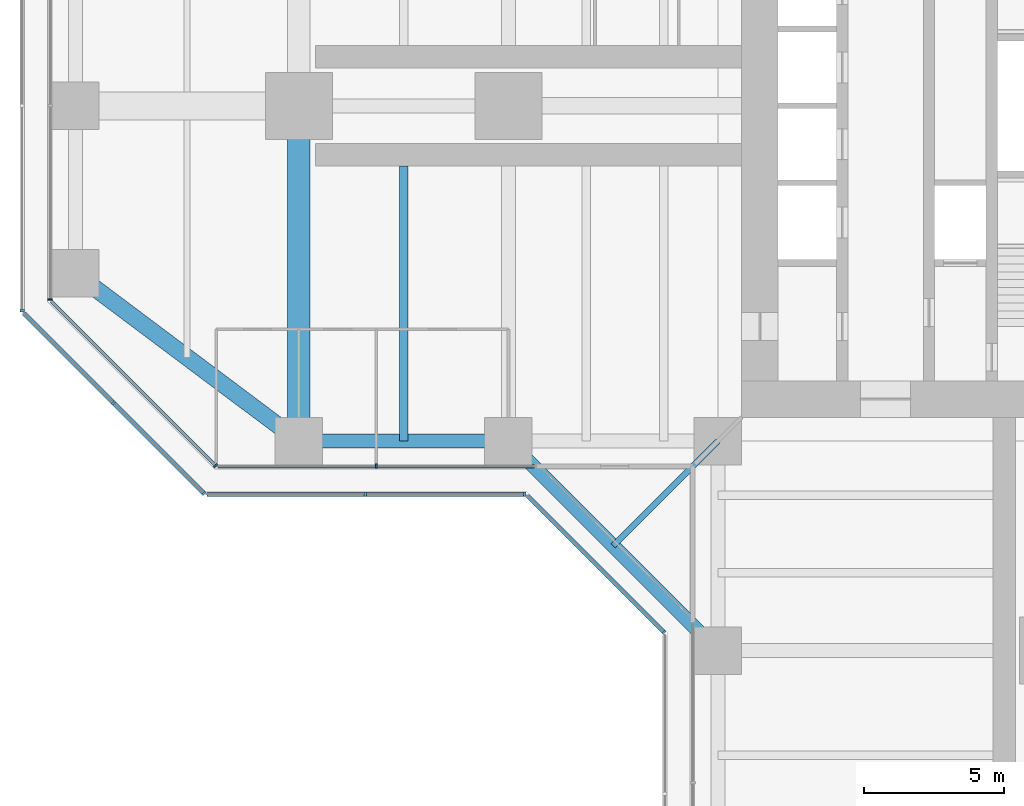
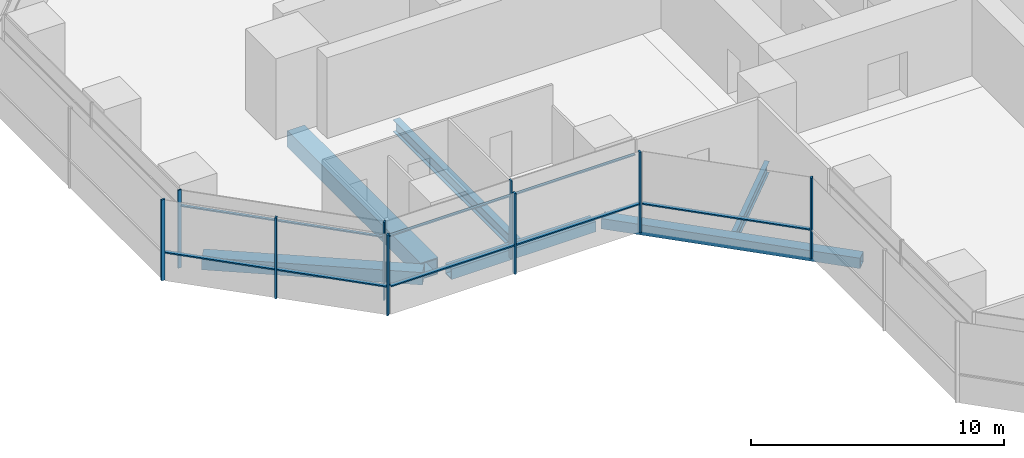
# One storey, part 3 of 22: 17 members, 6 beams, 7 elements without a shape of their own.
"""IFC4 building model written with IfcOpenShell, lengths in metres."""

from ifc_helpers import new_model, si_unit, direction, frame, origin, origin_2d, place, context, subcontext, project, spatial, rectangle, hollow_rectangle, i_section, extrude, material, material_profile, profile_set, type_object, element, aggregate, save


model = new_model("IFC4")

# Units and contexts
model_context = context("Model", 3, precision=1e-05, world=origin(), true_north=direction((0.0, 1.0)))
body_context = subcontext(model_context, "Body", "Model", "MODEL_VIEW")
ifc_project = project(units=[si_unit("LENGTHUNIT", "METRE"), si_unit("AREAUNIT", "SQUARE_METRE"), si_unit("VOLUMEUNIT", "CUBIC_METRE"), si_unit("PLANEANGLEUNIT", "RADIAN"), si_unit("MASSUNIT", "GRAM", prefix="KILO")], contexts=[model_context])

# Site, building, storey
site_placement = place(None, origin())
site = spatial("IfcSite", under=ifc_project, at=site_placement, CompositionType="ELEMENT")
building_placement = place(site_placement, origin())
building = spatial("IfcBuilding", under=site, at=building_placement, Name="Mizan Broadcast Tower", CompositionType="ELEMENT")
storey_placement = place(building_placement, frame((0.0, 0.0, 74.699951171875)))
storey = spatial("IfcBuildingStorey", under=building, at=storey_placement, Name="L15", CompositionType="ELEMENT", Elevation=74.699951171875)

# Beams
ifc_material_1 = material(Name="Steel S355", Category="steel")
ifc_material_profile_1 = material_profile(ifc_material_1, hollow_rectangle(XDim=0.5, YDim=0.5, WallThickness=0.030029296875, at=origin_2d()), Name="BOX 500x500x30")
ifc_profile_set_1 = profile_set([ifc_material_profile_1], Name="Steel S355")
beam_type_1 = type_object("IfcBeamType", Name="EDGE BEAM BOX 500x500x30", PredefinedType="SPANDREL", material=ifc_profile_set_1)
beam_1_placement = place(storey_placement, frame((-19.949951171875, -12.0, -0.3798828125), z_axis=(-1.0, 0.0, 0.0), x_axis=(0.0, -1.0, 0.0)))
element("IfcBeam", 1, at=beam_1_placement, inside=storey, type_object=beam_type_1, Name="Edge beam BOX 500x500x30 L15 west arm", PredefinedType="SPANDREL", context=body_context, shape_type="SweptSolid", body=[
    extrude(hollow_rectangle(XDim=0.5, YDim=0.5, WallThickness=0.030029296875, at=origin_2d()), origin(), (0.0, 0.0, 1.0), 6.60009765625),
])
beam_2_placement = place(storey_placement, frame((-19.5, -12.0, -0.3798828125), z_axis=(0.707106781187, -0.707106781187, 0.0), x_axis=(0.707106781187, 0.707106781187, 0.0)))
element("IfcBeam", 2, at=beam_2_placement, inside=storey, type_object=beam_type_1, Name="Winter garden edge beam L15 W", PredefinedType="SPANDREL", context=body_context, shape_type="SweptSolid", body=[
    extrude(hollow_rectangle(XDim=0.5, YDim=0.5, WallThickness=0.030029296875, at=origin_2d()), origin(), (0.0, 0.0, 1.0), 10.606689453125),
])
ifc_material_2 = material(Name="Steel S355", Category="steel")
ifc_material_profile_2 = material_profile(ifc_material_2, hollow_rectangle(XDim=0.60009765625, YDim=0.60009765625, WallThickness=0.030029296875, at=origin_2d()), Name="BOX 600x600x30")
ifc_profile_set_2 = profile_set([ifc_material_profile_2], Name="Steel S355")
beam_type_2 = type_object("IfcBeamType", Name="EDGE BEAM BOX 600x600x30", PredefinedType="SPANDREL", material=ifc_profile_set_2)
beam_3_placement = place(storey_placement, frame((-27.47998046875, -11.639892578125, -0.429931640625), z_axis=(-0.800013316712, 0.599982243973, 0.0), x_axis=(-0.599982243973, -0.800013316712, 0.0)))
element("IfcBeam", 3, at=beam_3_placement, inside=storey, type_object=beam_type_2, Name="Edge beam BOX 600x600x30 L15 west arm", PredefinedType="SPANDREL", context=body_context, shape_type="SweptSolid", body=[
    extrude(hollow_rectangle(XDim=0.60009765625, YDim=0.60009765625, WallThickness=0.030029296875, at=origin_2d()), origin(), (0.0, 0.0, 1.0), 8.7998046875),
])
ifc_material_3 = material(Name="Steel S460", Category="steel")
ifc_material_profile_3 = material_profile(ifc_material_3, hollow_rectangle(XDim=0.800048828125, YDim=0.800048828125, WallThickness=0.050048828125, at=origin_2d()), Name="BOX 800x800x50")
ifc_profile_set_3 = profile_set([ifc_material_profile_3], Name="Steel S460")
beam_type_3 = type_object("IfcBeamType", Name="GIRDER BOX 800x800x50", PredefinedType="BEAM", material=ifc_profile_set_3)
beam_4_placement = place(storey_placement, frame((-27.0, -11.280029296875, -0.530029296875), z_axis=(0.0, 1.0, 0.0), x_axis=(-1.0, 0.0, 0.0)))
element("IfcBeam", 4, at=beam_4_placement, inside=storey, type_object=beam_type_3, Name="Girder BOX 800x800x50 L15 west arm", PredefinedType="BEAM", context=body_context, shape_type="SweptSolid", body=[
    extrude(hollow_rectangle(XDim=0.800048828125, YDim=0.800048828125, WallThickness=0.050048828125, at=origin_2d()), origin(), (0.0, 0.0, 1.0), 10.56005859375),
])

# Curtain wall, member
ifc_material_4 = material(Name="Aluminium framed glazing", Category="aluminium")
curtain_wall_type_1 = type_object("IfcCurtainWallType", Name="INNER SKIN LOW ZONE", PredefinedType="USERDEFINED", material=ifc_material_4)
curtain_wall_1_placement = place(storey_placement, origin())
curtain_wall_1 = element("IfcCurtainWall", 5, at=curtain_wall_1_placement, inside=storey, type_object=curtain_wall_type_1, Name="Inner skin low zone L15 W end", ObjectType="INNER SKIN LOW ZONE", PredefinedType="USERDEFINED")
ifc_material_5 = material(Name="Aluminium, pale anodised", Category="aluminium")
ifc_material_profile_4 = material_profile(ifc_material_5, rectangle(XDim=0.159912109375, YDim=0.06005859375, at=origin_2d()), Name="MULLION 160x60")
ifc_profile_set_4 = profile_set([ifc_material_profile_4], Name="Aluminium, pale anodised")
member_type_1 = type_object("IfcMemberType", Name="INNER SKIN MULLION 60x160", PredefinedType="MULLION", material=ifc_profile_set_4)
member_1_placement = place(storey_placement, frame((-35.89990234375, -6.928466796875, 0.0), z_axis=(0.0, 0.0, 1.0), x_axis=(1.0, 0.0, 0.0)))
member_1 = element("IfcMember", 6, at=member_1_placement, type_object=member_type_1, Name="Inner skin low zone L15 W end mullion 3", PredefinedType="MULLION", context=body_context, shape_type="SweptSolid", body=[
    extrude(rectangle(XDim=0.159912109375, YDim=0.06005859375, at=origin_2d()), origin(), (0.0, 0.0, 1.0), 3.77001953125),
])
aggregate(curtain_wall_1, [member_1])

curtain_wall_2_placement = place(storey_placement, origin())
curtain_wall_2 = element("IfcCurtainWall", 7, at=curtain_wall_2_placement, inside=storey, type_object=curtain_wall_type_1, Name="Inner skin low zone L15 W chamfer", ObjectType="INNER SKIN LOW ZONE", PredefinedType="USERDEFINED")
member_2_placement = place(storey_placement, frame((-29.979736328125, -12.87890625, 0.0), z_axis=(0.0, 0.0, 1.0), x_axis=(0.707106781187, 0.707106781187, 0.0)))
member_2 = element("IfcMember", 8, at=member_2_placement, type_object=member_type_1, Name="Inner skin low zone L15 W chamfer mullion 2", PredefinedType="MULLION", context=body_context, shape_type="SweptSolid", body=[
    extrude(rectangle(XDim=0.159912109375, YDim=0.06005859375, at=origin_2d()), origin(), (0.0, 0.0, 1.0), 3.77001953125),
])

curtain_wall_3_placement = place(storey_placement, origin())
curtain_wall_3 = element("IfcCurtainWall", 9, at=curtain_wall_3_placement, inside=storey, type_object=curtain_wall_type_1, Name="Inner skin low zone L15 W side", ObjectType="INNER SKIN LOW ZONE", PredefinedType="USERDEFINED")
member_3_placement = place(storey_placement, frame((-24.229248046875, -12.89990234375, 0.0), z_axis=(0.0, 0.0, 1.0), x_axis=(0.0, 1.0, 0.0)))
member_3 = element("IfcMember", 10, at=member_3_placement, type_object=member_type_1, Name="Inner skin low zone L15 W side mullion 2", PredefinedType="MULLION", context=body_context, shape_type="SweptSolid", body=[
    extrude(rectangle(XDim=0.159912109375, YDim=0.06005859375, at=origin_2d()), origin(), (0.0, 0.0, 1.0), 3.77001953125),
])

# Member
ifc_material_6 = material(Name="Aluminium, pale anodised", Category="aluminium")
ifc_material_profile_5 = material_profile(ifc_material_6, rectangle(XDim=0.1201171875, YDim=0.06005859375, at=origin_2d()), Name="TRANSOM 120x60")
ifc_profile_set_5 = profile_set([ifc_material_profile_5], Name="Aluminium, pale anodised")
member_type_2 = type_object("IfcMemberType", Name="INNER SKIN TRANSOM 60x120", PredefinedType="USERDEFINED", material=ifc_profile_set_5)
member_4_placement = place(storey_placement, frame((-35.857666015625, -7.0009765625, 3.030029296875), z_axis=(0.707106781187, -0.707106781187, 0.0), x_axis=(0.707106781187, 0.707106781187, 0.0)))
member_4 = element("IfcMember", 11, at=member_4_placement, type_object=member_type_2, Name="Inner skin low zone L15 W chamfer transom 1.1", ObjectType="TRANSOM", PredefinedType="USERDEFINED", context=body_context, shape_type="SweptSolid", body=[
    extrude(rectangle(XDim=0.1201171875, YDim=0.06005859375, at=origin_2d()), origin(), (0.0, 0.0, 1.0), 8.28271484375),
])

aggregate(curtain_wall_2, [member_2, member_4])

member_5_placement = place(storey_placement, frame((-29.898681640625, -12.89990234375, 3.030029296875), z_axis=(1.0, 0.0, 0.0), x_axis=(0.0, 1.0, 0.0)))
member_5 = element("IfcMember", 12, at=member_5_placement, type_object=member_type_2, Name="Inner skin low zone L15 W side transom 1.1", ObjectType="TRANSOM", PredefinedType="USERDEFINED", context=body_context, shape_type="SweptSolid", body=[
    extrude(rectangle(XDim=0.1201171875, YDim=0.06005859375, at=origin_2d()), origin(), (0.0, 0.0, 1.0), 5.639404296875),
])

member_6_placement = place(storey_placement, frame((-24.19921875, -12.89990234375, 3.030029296875), z_axis=(1.0, 0.0, 0.0), x_axis=(0.0, 1.0, 0.0)))
member_6 = element("IfcMember", 13, at=member_6_placement, type_object=member_type_2, Name="Inner skin low zone L15 W side transom 2.1", ObjectType="TRANSOM", PredefinedType="USERDEFINED", context=body_context, shape_type="SweptSolid", body=[
    extrude(rectangle(XDim=0.1201171875, YDim=0.06005859375, at=origin_2d()), origin(), (0.0, 0.0, 1.0), 5.63916015625),
])

aggregate(curtain_wall_3, [member_3, member_5, member_6])

# Curtain wall, member
ifc_material_7 = material(Name="Aluminium framed glazing", Category="aluminium")
curtain_wall_type_2 = type_object("IfcCurtainWallType", Name="OUTER SKIN", PredefinedType="USERDEFINED", material=ifc_material_7)
curtain_wall_4_placement = place(storey_placement, origin())
curtain_wall_4 = element("IfcCurtainWall", 14, at=curtain_wall_4_placement, inside=storey, type_object=curtain_wall_type_2, Name="Outer skin L15 W end", ObjectType="OUTER SKIN", PredefinedType="USERDEFINED")
ifc_material_8 = material(Name="Aluminium, pale anodised", Category="aluminium")
ifc_material_profile_6 = material_profile(ifc_material_8, rectangle(XDim=0.159912109375, YDim=0.080078125, at=origin_2d()), Name="MULLION 160x80")
ifc_profile_set_6 = profile_set([ifc_material_profile_6], Name="Aluminium, pale anodised")
member_type_3 = type_object("IfcMemberType", Name="OUTER SKIN MULLION 80x160", PredefinedType="MULLION", material=ifc_profile_set_6)
member_7_placement = place(storey_placement, frame((-36.89990234375, -7.332763671875, 0.0), z_axis=(0.0, 0.0, 1.0), x_axis=(1.0, 0.0, 0.0)))
member_7 = element("IfcMember", 15, at=member_7_placement, type_object=member_type_3, Name="Outer skin L15 W end mullion 3", PredefinedType="MULLION", context=body_context, shape_type="SweptSolid", body=[
    extrude(rectangle(XDim=0.159912109375, YDim=0.080078125, at=origin_2d()), origin(), (0.0, 0.0, 1.0), 3.900146484375),
])
aggregate(curtain_wall_4, [member_7])

# Curtain wall, members
curtain_wall_5_placement = place(storey_placement, origin())
curtain_wall_5 = element("IfcCurtainWall", 16, at=curtain_wall_5_placement, inside=storey, type_object=curtain_wall_type_2, Name="Outer skin L15 W chamfer", ObjectType="OUTER SKIN", PredefinedType="USERDEFINED")
member_8_placement = place(storey_placement, frame((-33.636474609375, -10.636474609375, 0.0), z_axis=(0.0, 0.0, 1.0), x_axis=(0.707106781187, 0.707106781187, 0.0)))
member_8 = element("IfcMember", 17, at=member_8_placement, type_object=member_type_3, Name="Outer skin L15 W chamfer mullion 2", PredefinedType="MULLION", context=body_context, shape_type="SweptSolid", body=[
    extrude(rectangle(XDim=0.159912109375, YDim=0.080078125, at=origin_2d()), origin(), (0.0, 0.0, 1.0), 3.900146484375),
])
member_9_placement = place(storey_placement, frame((-30.401123046875, -13.871826171875, 0.0), z_axis=(0.0, 0.0, 1.0), x_axis=(0.707106781187, 0.707106781187, 0.0)))
member_9 = element("IfcMember", 18, at=member_9_placement, type_object=member_type_3, Name="Outer skin L15 W chamfer mullion 3", PredefinedType="MULLION", context=body_context, shape_type="SweptSolid", body=[
    extrude(rectangle(XDim=0.159912109375, YDim=0.080078125, at=origin_2d()), origin(), (0.0, 0.0, 1.0), 3.900146484375),
])

curtain_wall_6_placement = place(storey_placement, origin())
curtain_wall_6 = element("IfcCurtainWall", 19, at=curtain_wall_6_placement, inside=storey, type_object=curtain_wall_type_2, Name="Outer skin L15 W side", ObjectType="OUTER SKIN", PredefinedType="USERDEFINED")
member_10_placement = place(storey_placement, frame((-24.622802734375, -13.89990234375, 0.0), z_axis=(0.0, 0.0, 1.0), x_axis=(0.0, 1.0, 0.0)))
member_10 = element("IfcMember", 20, at=member_10_placement, type_object=member_type_3, Name="Outer skin L15 W side mullion 2", PredefinedType="MULLION", context=body_context, shape_type="SweptSolid", body=[
    extrude(rectangle(XDim=0.159912109375, YDim=0.080078125, at=origin_2d()), origin(), (0.0, 0.0, 1.0), 3.900146484375),
])
member_11_placement = place(storey_placement, frame((-18.912841796875, -13.89990234375, 0.0), z_axis=(0.0, 0.0, 1.0), x_axis=(0.0, 1.0, 0.0)))
member_11 = element("IfcMember", 21, at=member_11_placement, type_object=member_type_3, Name="Outer skin L15 W side mullion 3", PredefinedType="MULLION", context=body_context, shape_type="SweptSolid", body=[
    extrude(rectangle(XDim=0.159912109375, YDim=0.080078125, at=origin_2d()), origin(), (0.0, 0.0, 1.0), 3.900146484375),
])

# Curtain wall, member
curtain_wall_7_placement = place(storey_placement, origin())
curtain_wall_7 = element("IfcCurtainWall", 22, at=curtain_wall_7_placement, inside=storey, type_object=curtain_wall_type_2, Name="Outer skin L15 W chamfer", ObjectType="OUTER SKIN", PredefinedType="USERDEFINED")
member_12_placement = place(storey_placement, frame((-13.92822265625, -18.844482421875, 0.0), z_axis=(0.0, 0.0, 1.0), x_axis=(0.707106781187, 0.707106781187, 0.0)))
member_12 = element("IfcMember", 23, at=member_12_placement, type_object=member_type_3, Name="Outer skin L15 W chamfer mullion 2", PredefinedType="MULLION", context=body_context, shape_type="SweptSolid", body=[
    extrude(rectangle(XDim=0.159912109375, YDim=0.080078125, at=origin_2d()), origin(), (0.0, 0.0, 1.0), 3.900146484375),
])

# Member
ifc_material_9 = material(Name="Aluminium, pale anodised", Category="aluminium")
ifc_material_profile_7 = material_profile(ifc_material_9, rectangle(XDim=0.159912109375, YDim=0.06005859375, at=origin_2d()), Name="TRANSOM 160x60")
ifc_profile_set_7 = profile_set([ifc_material_profile_7], Name="Aluminium, pale anodised")
member_type_4 = type_object("IfcMemberType", Name="OUTER SKIN TRANSOM 60x160", PredefinedType="USERDEFINED", material=ifc_profile_set_7)
member_13_placement = place(storey_placement, frame((-36.843505859375, -7.429443359375, 1.400146484375), z_axis=(0.707106781187, -0.707106781187, 0.0), x_axis=(0.707106781187, 0.707106781187, 0.0)))
member_13 = element("IfcMember", 24, at=member_13_placement, type_object=member_type_4, Name="Outer skin L15 W chamfer transom 1.1", ObjectType="TRANSOM", PredefinedType="USERDEFINED", context=body_context, shape_type="SweptSolid", body=[
    extrude(rectangle(XDim=0.159912109375, YDim=0.06005859375, at=origin_2d()), origin(), (0.0, 0.0, 1.0), 4.495361328125),
])

member_14_placement = place(storey_placement, frame((-33.608154296875, -10.664794921875, 1.400146484375), z_axis=(0.707106781187, -0.707106781187, 0.0), x_axis=(0.707106781187, 0.707106781187, 0.0)))
member_14 = element("IfcMember", 25, at=member_14_placement, type_object=member_type_4, Name="Outer skin L15 W chamfer transom 2.1", ObjectType="TRANSOM", PredefinedType="USERDEFINED", context=body_context, shape_type="SweptSolid", body=[
    extrude(rectangle(XDim=0.159912109375, YDim=0.06005859375, at=origin_2d()), origin(), (0.0, 0.0, 1.0), 4.495361328125),
])

aggregate(curtain_wall_5, [member_8, member_9, member_13, member_14])

member_15_placement = place(storey_placement, frame((-30.292724609375, -13.89990234375, 1.400146484375), z_axis=(1.0, 0.0, 0.0), x_axis=(0.0, 1.0, 0.0)))
member_15 = element("IfcMember", 26, at=member_15_placement, type_object=member_type_4, Name="Outer skin L15 W side transom 1.1", ObjectType="TRANSOM", PredefinedType="USERDEFINED", context=body_context, shape_type="SweptSolid", body=[
    extrude(rectangle(XDim=0.159912109375, YDim=0.06005859375, at=origin_2d()), origin(), (0.0, 0.0, 1.0), 5.6298828125),
])

member_16_placement = place(storey_placement, frame((-24.582763671875, -13.89990234375, 1.400146484375), z_axis=(1.0, 0.0, 0.0), x_axis=(0.0, 1.0, 0.0)))
member_16 = element("IfcMember", 27, at=member_16_placement, type_object=member_type_4, Name="Outer skin L15 W side transom 2.1", ObjectType="TRANSOM", PredefinedType="USERDEFINED", context=body_context, shape_type="SweptSolid", body=[
    extrude(rectangle(XDim=0.159912109375, YDim=0.06005859375, at=origin_2d()), origin(), (0.0, 0.0, 1.0), 5.6298828125),
])

aggregate(curtain_wall_6, [member_10, member_11, member_15, member_16])

member_17_placement = place(storey_placement, frame((-18.816162109375, -13.95654296875, 1.400146484375), z_axis=(0.707106781187, -0.707106781187, 0.0), x_axis=(0.707106781187, 0.707106781187, 0.0)))
member_17 = element("IfcMember", 28, at=member_17_placement, type_object=member_type_4, Name="Outer skin L15 W chamfer transom 1.1", ObjectType="TRANSOM", PredefinedType="USERDEFINED", context=body_context, shape_type="SweptSolid", body=[
    extrude(rectangle(XDim=0.159912109375, YDim=0.06005859375, at=origin_2d()), origin(), (0.0, 0.0, 1.0), 6.87255859375),
])

aggregate(curtain_wall_7, [member_12, member_17])

# Beams
ifc_material_10 = material(Name="Steel S355", Category="steel")
ifc_material_profile_8 = material_profile(ifc_material_10, i_section(OverallWidth=0.300048828125, OverallDepth=0.590087890625, WebThickness=0.012939453125, FlangeThickness=0.02490234375, FilletRadius=0.027099609375, at=origin_2d()), Name="HEA 600")
ifc_profile_set_8 = profile_set([ifc_material_profile_8], Name="Steel S355")
beam_type_4 = type_object("IfcBeamType", Name="SECONDARY BEAM HEA 600", PredefinedType="JOIST", material=ifc_profile_set_8)
beam_5_placement = place(storey_placement, frame((-23.25, -12.0, -0.425048828125), z_axis=(0.0, 1.0, 0.0), x_axis=(-1.0, 0.0, 0.0)))
element("IfcBeam", 29, at=beam_5_placement, inside=storey, type_object=beam_type_4, Name="Secondary beam HEA 600 L15 west arm", PredefinedType="JOIST", context=body_context, shape_type="SweptSolid", body=[
    extrude(i_section(OverallWidth=0.300048828125, OverallDepth=0.590087890625, WebThickness=0.012939453125, FlangeThickness=0.02490234375, FilletRadius=0.027099609375, at=origin_2d()), origin(), (0.0, 0.0, 1.0), 9.85009765625),
])
ifc_material_11 = material(Name="Steel S355", Category="steel")
ifc_material_profile_9 = material_profile(ifc_material_11, i_section(OverallWidth=0.2099609375, OverallDepth=0.550048828125, WebThickness=0.010986328125, FlangeThickness=0.01708984375, FilletRadius=0.02392578125, at=origin_2d()), Name="IPE 550")
ifc_profile_set_9 = profile_set([ifc_material_profile_9], Name="Steel S355")
beam_type_5 = type_object("IfcBeamType", Name="SECONDARY BEAM IPE 550", PredefinedType="JOIST", material=ifc_profile_set_9)
beam_6_placement = place(storey_placement, frame((-12.0, -12.0, -0.405029296875), z_axis=(-0.707106781187, -0.707106781187, 0.0), x_axis=(0.707106781187, -0.707106781187, 0.0)))
element("IfcBeam", 30, at=beam_6_placement, inside=storey, type_object=beam_type_5, Name="Winter garden beam L15 W", PredefinedType="JOIST", context=body_context, shape_type="SweptSolid", body=[
    extrude(i_section(OverallWidth=0.2099609375, OverallDepth=0.550048828125, WebThickness=0.010986328125, FlangeThickness=0.01708984375, FilletRadius=0.02392578125, at=origin_2d()), origin(), (0.0, 0.0, 1.0), 5.30322265625),
])

save(model, "model.ifc")
